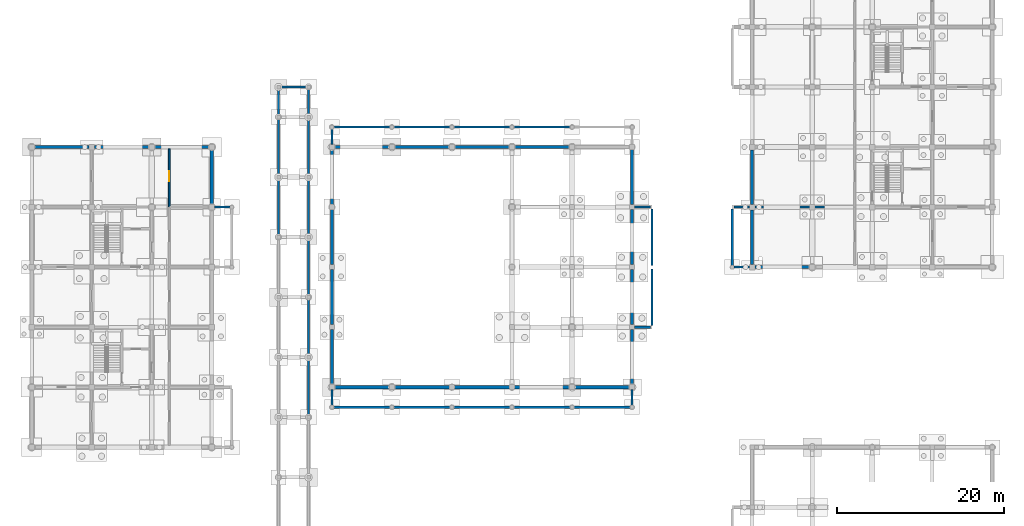
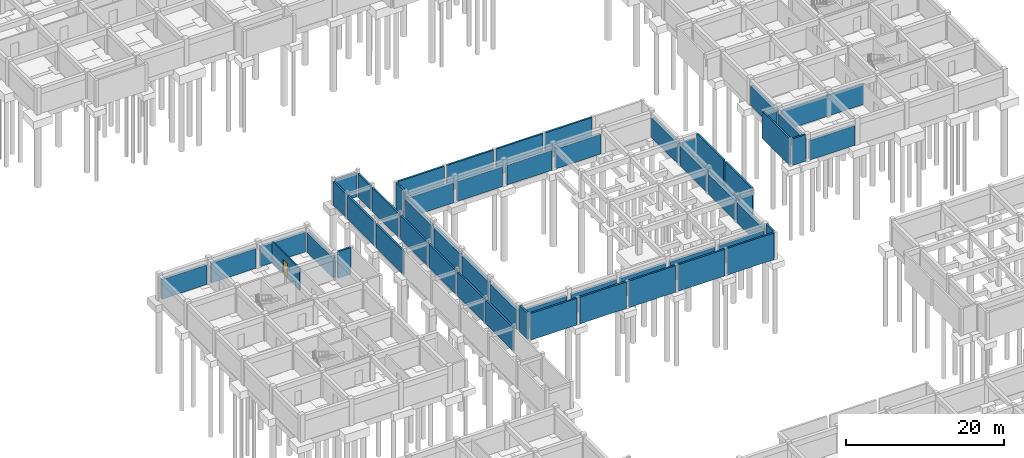
# One storey, part 28 of 38: 56 walls, 1 door, 1 opening.
"""IFC4 building model written with IfcOpenShell, lengths in metres."""

from ifc_helpers import new_model, si_unit, direction, frame, frame_2d, origin, place, context, subcontext, project, spatial, rectangle, extrude, material, layer, layer_set, type_object, element, fill, save


model = new_model("IFC4")

# Units and contexts
model_context = context("Model", 3, precision=1e-05, world=origin(), true_north=direction((0.0, 1.0)))
body_context = subcontext(model_context, "Body", "Model", "MODEL_VIEW")
ifc_project = project(units=[si_unit("LENGTHUNIT", "METRE"), si_unit("AREAUNIT", "SQUARE_METRE"), si_unit("VOLUMEUNIT", "CUBIC_METRE"), si_unit("PLANEANGLEUNIT", "RADIAN"), si_unit("MASSUNIT", "GRAM", prefix="KILO"), si_unit("THERMODYNAMICTEMPERATUREUNIT", "KELVIN"), si_unit("POWERUNIT", "WATT")], contexts=[model_context])

# Site, building, storey
site_placement = place(None, origin())
site = spatial("IfcSite", under=ifc_project, at=site_placement, CompositionType="ELEMENT")
building_placement = place(site_placement, origin())
building = spatial("IfcBuilding", under=site, at=building_placement, Name="Tavuni Mirador Residences", CompositionType="ELEMENT")
storey_placement = place(building_placement, frame((0.0, 0.0, -4.199951171875)))
storey = spatial("IfcBuildingStorey", under=building, at=storey_placement, Name="B1", CompositionType="ELEMENT", Elevation=-4.199951171875)

# Wall, opening, door
ifc_material_1 = material(Name="Precast concrete C40/50", Category="concrete")
ifc_layer_1 = layer(ifc_material_1, 0.18505859375, Name="Precast concrete C40/50", Category="concrete")
ifc_layer_set_1 = layer_set([ifc_layer_1], Name="Precast concrete C40/50")
wall_type_1 = type_object("IfcWallType", Name="WT-CORR185", PredefinedType="PARTITIONING", material=ifc_layer_set_1)
wall_1_placement = place(storey_placement, frame((20.10009765625, 93.6201171875, 0.0), z_axis=(0.0, 0.0, 1.0), x_axis=(0.0, 1.0, 0.0)))
wall_1 = element("IfcWall", 1, at=wall_1_placement, inside=storey, type_object=wall_type_1, Name="CORW-BLK-B-B1-0-04", PredefinedType="PARTITIONING", context=body_context, shape_type="SweptSolid", body=[
    extrude(rectangle(XDim=6.96484375, YDim=0.18505859375, at=frame_2d((3.482421875, 0.0))), origin(), (0.0, 0.0, 1.0), 3.31494140625),
])
opening_placement = place(wall_1_placement, frame((3.080078125, 0.0, 0.0)))
opening = element("IfcOpeningElement", 2, at=opening_placement, cuts=wall_1, Name="Opening D-18", PredefinedType="OPENING", context=body_context, shape_type="SweptSolid", body=[
    extrude(rectangle(XDim=1.199951171875, YDim=2.199951171875, at=frame_2d((0.60009765625, 1.10009765625))), frame((0.0, 0.1025390625, 0.0), z_axis=(0.0, -1.0, 0.0), x_axis=(1.0, 0.0, 0.0)), (0.0, 0.0, 1.0), 0.205078125),
])
ifc_material_2 = material(Name="Structural steel S355", Category="steel")
door_type = type_object("IfcDoorType", Name="DT-PLT1200", OperationType="NOTDEFINED", PredefinedType="DOOR", material=ifc_material_2)
door_placement = place(opening_placement, origin())
door = element("IfcDoor", 3, at=door_placement, inside=storey, type_object=door_type, Name="DR-2525", OperationType="SINGLE_SWING_RIGHT", OverallHeight=2.199951171875, OverallWidth=1.199951171875, PredefinedType="DOOR", context=body_context, shape_type="SweptSolid", body=[
    extrude(rectangle(XDim=1.199951171875, YDim=2.199951171875, at=frame_2d((0.60009765625, 1.10009765625))), frame((0.0, 0.02490234375, 0.0), z_axis=(0.0, -1.0, 0.0), x_axis=(1.0, 0.0, 0.0)), (0.0, 0.0, 1.0), 0.050048828125),
])
fill(opening, door)

# Walls
ifc_material_3 = material(Name="In-situ concrete C35/45", Category="concrete")
ifc_layer_2 = layer(ifc_material_3, 0.3798828125, Name="In-situ concrete C35/45", Category="concrete")
ifc_layer_set_2 = layer_set([ifc_layer_2], Name="In-situ concrete C35/45")
wall_type_2 = type_object("IfcWallType", Name="WT-RET380", PredefinedType="USERDEFINED", material=ifc_layer_set_2)
for number, where, z_axis, x_axis, name in (
    (4, (39.89990234375, 72.0, 0.0), (0.0, 0.0, 1.0), (1.0, 0.0, 0.0), "RET-PAV-HALL-S-00"),
    (5, (46.5, 100.800048828125, 0.0), (0.0, 0.0, 1.0), (-1.0, 0.0, 0.0), "RET-PAV-HALL-N-00"),
):
    element("IfcWall", number, at=place(storey_placement, frame(where, z_axis=z_axis, x_axis=x_axis)), inside=storey, type_object=wall_type_2, Name=name, ObjectType="RETAINING WALL", PredefinedType="USERDEFINED", context=body_context, shape_type="SweptSolid", body=[
        extrude(rectangle(XDim=6.60009765625, YDim=0.3798828125, at=frame_2d((3.300048828125, 0.0))), origin(), (0.0, 0.0, 1.0), 3.050048828125),
    ])
for number, where, z_axis, x_axis, name in (
    (6, (47.10009765625, 72.0, 0.0), (0.0, 0.0, 1.0), (1.0, 0.0, 0.0), "RET-PAV-HALL-S-01"),
    (7, (53.699951171875, 100.800048828125, 0.0), (0.0, 0.0, 1.0), (-1.0, 0.0, 0.0), "RET-PAV-HALL-N-01"),
    (8, (54.300048828125, 72.0, 0.0), (0.0, 0.0, 1.0), (1.0, 0.0, 0.0), "RET-PAV-HALL-S-02"),
    (9, (60.89990234375, 100.800048828125, 0.0), (0.0, 0.0, 1.0), (-1.0, 0.0, 0.0), "RET-PAV-HALL-N-02"),
):
    element("IfcWall", number, at=place(storey_placement, frame(where, z_axis=z_axis, x_axis=x_axis)), inside=storey, type_object=wall_type_2, Name=name, ObjectType="RETAINING WALL", PredefinedType="USERDEFINED", context=body_context, shape_type="SweptSolid", body=[
        extrude(rectangle(XDim=6.599853515625, YDim=0.3798828125, at=frame_2d((3.2998046875, 0.0))), origin(), (0.0, 0.0, 1.0), 3.050048828125),
    ])
for number, where, z_axis, x_axis, name in (
    (10, (61.5, 72.0, 0.0), (0.0, 0.0, 1.0), (1.0, 0.0, 0.0), "RET-PAV-HALL-S-03"),
    (11, (68.10009765625, 100.800048828125, 0.0), (0.0, 0.0, 1.0), (-1.0, 0.0, 0.0), "RET-PAV-HALL-N-03"),
    (12, (68.699951171875, 72.0, 0.0), (0.0, 0.0, 1.0), (1.0, 0.0, 0.0), "RET-PAV-HALL-S-04"),
):
    element("IfcWall", number, at=place(storey_placement, frame(where, z_axis=z_axis, x_axis=x_axis)), inside=storey, type_object=wall_type_2, Name=name, ObjectType="RETAINING WALL", PredefinedType="USERDEFINED", context=body_context, shape_type="SweptSolid", body=[
        extrude(rectangle(XDim=6.60009765625, YDim=0.3798828125, at=frame_2d((3.300048828125, 0.0))), origin(), (0.0, 0.0, 1.0), 3.050048828125),
    ])
for number, where, z_axis, x_axis, name in (
    (13, (75.60009765625, 72.300048828125, 0.0), (0.0, 0.0, 1.0), (0.0, 1.0, 0.0), "RET-PAV-HALL-E-00"),
    (14, (39.60009765625, 78.89990234375, 0.0), (0.0, 0.0, 1.0), (0.0, -1.0, 0.0), "RET-PAV-HALL-W-00"),
):
    element("IfcWall", number, at=place(storey_placement, frame(where, z_axis=z_axis, x_axis=x_axis)), inside=storey, type_object=wall_type_2, Name=name, ObjectType="RETAINING WALL", PredefinedType="USERDEFINED", context=body_context, shape_type="SweptSolid", body=[
        extrude(rectangle(XDim=6.599853515625, YDim=0.3798828125, at=frame_2d((3.2998046875, 0.0))), origin(), (0.0, 0.0, 1.0), 3.050048828125),
    ])
for number, where, z_axis, x_axis, name in (
    (15, (75.60009765625, 79.5, 0.0), (0.0, 0.0, 1.0), (0.0, 1.0, 0.0), "RET-PAV-HALL-E-01"),
    (16, (39.60009765625, 86.10009765625, 0.0), (0.0, 0.0, 1.0), (0.0, -1.0, 0.0), "RET-PAV-HALL-W-01"),
    (17, (75.60009765625, 86.699951171875, 0.0), (0.0, 0.0, 1.0), (0.0, 1.0, 0.0), "RET-PAV-HALL-E-02"),
    (18, (39.60009765625, 93.300048828125, 0.0), (0.0, 0.0, 1.0), (0.0, -1.0, 0.0), "RET-PAV-HALL-W-02"),
    (19, (75.60009765625, 93.89990234375, 0.0), (0.0, 0.0, 1.0), (0.0, 1.0, 0.0), "RET-PAV-HALL-E-03"),
    (20, (39.60009765625, 100.5, 0.0), (0.0, 0.0, 1.0), (0.0, -1.0, 0.0), "RET-PAV-HALL-W-03"),
):
    element("IfcWall", number, at=place(storey_placement, frame(where, z_axis=z_axis, x_axis=x_axis)), inside=storey, type_object=wall_type_2, Name=name, ObjectType="RETAINING WALL", PredefinedType="USERDEFINED", context=body_context, shape_type="SweptSolid", body=[
        extrude(rectangle(XDim=6.60009765625, YDim=0.3798828125, at=frame_2d((3.300048828125, 0.0))), origin(), (0.0, 0.0, 1.0), 3.050048828125),
    ])
for number, where, z_axis, x_axis, name in (
    (21, (10.47509765625, 100.800048828125, 0.0), (0.0, 0.0, 1.0), (-1.0, 0.0, 0.0), "RET-BLK-B-N-00"),
    (22, (17.675048828125, 100.800048828125, 0.0), (0.0, 0.0, 1.0), (-1.0, 0.0, 0.0), "RET-BLK-B-N-01"),
    (23, (24.875, 100.800048828125, 0.0), (0.0, 0.0, 1.0), (-1.0, 0.0, 0.0), "RET-BLK-B-N-02"),
    (24, (25.199951171875, 93.925048828125, 0.0), (0.0, 0.0, 1.0), (0.0, 1.0, 0.0), "RET-BLK-B-E-04"),
    (25, (90.324951171875, 86.39990234375, 0.0), (0.0, 0.0, 1.0), (1.0, 0.0, 0.0), "RET-BLK-D-S-00"),
):
    element("IfcWall", number, at=place(storey_placement, frame(where, z_axis=z_axis, x_axis=x_axis)), inside=storey, type_object=wall_type_2, Name=name, ObjectType="RETAINING WALL", PredefinedType="USERDEFINED", context=body_context, shape_type="SweptSolid", body=[
        extrude(rectangle(XDim=6.550048828125, YDim=0.3798828125, at=frame_2d((3.27490234375, 0.0))), origin(), (0.0, 0.0, 1.0), 3.030029296875),
    ])
wall_2_placement = place(storey_placement, frame((90.0, 93.27490234375, 0.0), z_axis=(0.0, 0.0, 1.0), x_axis=(0.0, -1.0, 0.0)))
element("IfcWall", 26, at=wall_2_placement, inside=storey, type_object=wall_type_2, Name="RET-BLK-D-W-00", ObjectType="RETAINING WALL", PredefinedType="USERDEFINED", context=body_context, shape_type="SweptSolid", body=[
    extrude(rectangle(XDim=6.5498046875, YDim=0.3798828125, at=frame_2d((3.27490234375, 0.0))), origin(), (0.0, 0.0, 1.0), 3.030029296875),
])
wall_3_placement = place(storey_placement, frame((90.0, 100.47509765625, 0.0), z_axis=(0.0, 0.0, 1.0), x_axis=(0.0, -1.0, 0.0)))
element("IfcWall", 27, at=wall_3_placement, inside=storey, type_object=wall_type_2, Name="RET-BLK-D-W-01", ObjectType="RETAINING WALL", PredefinedType="USERDEFINED", context=body_context, shape_type="SweptSolid", body=[
    extrude(rectangle(XDim=6.550048828125, YDim=0.3798828125, at=frame_2d((3.27490234375, 0.0))), origin(), (0.0, 0.0, 1.0), 3.030029296875),
])
ifc_layer_3 = layer(ifc_material_1, 0.264892578125, Name="Precast concrete C40/50", Category="concrete")
ifc_layer_set_3 = layer_set([ifc_layer_3], Name="Precast concrete C40/50")
wall_type_3 = type_object("IfcWallType", Name="WT-XW265", PredefinedType="SOLIDWALL", material=ifc_layer_set_3)
wall_4_placement = place(storey_placement, frame((36.590087890625, 108.0, 0.0), z_axis=(0.0, 0.0, 1.0), x_axis=(-1.0, 0.0, 0.0)))
element("IfcWall", 28, at=wall_4_placement, inside=storey, type_object=wall_type_3, Name="RET-PAV-COL-N-00", PredefinedType="SOLIDWALL", context=body_context, shape_type="SweptSolid", body=[
    extrude(rectangle(XDim=3.18017578125, YDim=0.264892578125, at=frame_2d((1.590087890625, 0.0))), origin(), (0.0, 0.0, 1.0), 3.64990234375),
])
wall_5_placement = place(storey_placement, frame((36.800048828125, 68.610107421875, 0.0), z_axis=(0.0, 0.0, 1.0), x_axis=(0.0, 1.0, 0.0)))
element("IfcWall", 29, at=wall_5_placement, inside=storey, type_object=wall_type_3, Name="RET-PAV-COL-E-02", PredefinedType="SOLIDWALL", context=body_context, shape_type="SweptSolid", body=[
    extrude(rectangle(XDim=6.77978515625, YDim=0.264892578125, at=frame_2d((3.389892578125, 0.0))), origin(), (0.0, 0.0, 1.0), 3.64990234375),
])
for number, where, z_axis, x_axis, name in (
    (30, (36.800048828125, 75.81005859375, 0.0), (0.0, 0.0, 1.0), (0.0, 1.0, 0.0), "RET-PAV-COL-E-03"),
    (31, (36.800048828125, 83.010009765625, 0.0), (0.0, 0.0, 1.0), (0.0, 1.0, 0.0), "RET-PAV-COL-E-04"),
    (32, (36.800048828125, 90.2099609375, 0.0), (0.0, 0.0, 1.0), (0.0, 1.0, 0.0), "RET-PAV-COL-E-05"),
    (33, (33.199951171875, 96.989990234375, 0.0), (0.0, 0.0, 1.0), (0.0, -1.0, 0.0), "RET-PAV-COL-W-05"),
    (34, (36.800048828125, 97.409912109375, 0.0), (0.0, 0.0, 1.0), (0.0, 1.0, 0.0), "RET-PAV-COL-E-06"),
    (35, (33.199951171875, 104.18994140625, 0.0), (0.0, 0.0, 1.0), (0.0, -1.0, 0.0), "RET-PAV-COL-W-06"),
):
    element("IfcWall", number, at=place(storey_placement, frame(where, z_axis=z_axis, x_axis=x_axis)), inside=storey, type_object=wall_type_3, Name=name, PredefinedType="SOLIDWALL", context=body_context, shape_type="SweptSolid", body=[
        extrude(rectangle(XDim=6.780029296875, YDim=0.264892578125, at=frame_2d((3.39013671875, 0.0))), origin(), (0.0, 0.0, 1.0), 3.64990234375),
    ])
for number, where, z_axis, x_axis, name in (
    (36, (36.800048828125, 104.610107421875, 0.0), (0.0, 0.0, 1.0), (0.0, 1.0, 0.0), "RET-PAV-COL-E-07"),
    (37, (33.199951171875, 107.7900390625, 0.0), (0.0, 0.0, 1.0), (0.0, -1.0, 0.0), "RET-PAV-COL-W-07"),
):
    element("IfcWall", number, at=place(storey_placement, frame(where, z_axis=z_axis, x_axis=x_axis)), inside=storey, type_object=wall_type_3, Name=name, PredefinedType="SOLIDWALL", context=body_context, shape_type="SweptSolid", body=[
        extrude(rectangle(XDim=3.179931640625, YDim=0.264892578125, at=frame_2d((1.58984375, 0.0))), origin(), (0.0, 0.0, 1.0), 3.64990234375),
    ])
for number, where, z_axis, x_axis, name in (
    (38, (27.389892578125, 93.60009765625, 0.0), (0.0, 0.0, 1.0), (-1.0, 0.0, 0.0), "RET-APR-BLKB-E2-N0"),
    (39, (87.81005859375, 86.39990234375, 0.0), (0.0, 0.0, 1.0), (1.0, 0.0, 0.0), "RET-APR-BLKD-W1-S0"),
):
    element("IfcWall", number, at=place(storey_placement, frame(where, z_axis=z_axis, x_axis=x_axis)), inside=storey, type_object=wall_type_3, Name=name, PredefinedType="SOLIDWALL", context=body_context, shape_type="SweptSolid", body=[
        extrude(rectangle(XDim=1.864990234375, YDim=0.264892578125, at=frame_2d((0.9326171875, 0.0))), origin(), (0.0, 0.0, 1.0), 4.119873046875),
    ])
wall_6_placement = place(storey_placement, frame((89.675048828125, 93.60009765625, 0.0), z_axis=(0.0, 0.0, 1.0), x_axis=(-1.0, 0.0, 0.0)))
element("IfcWall", 40, at=wall_6_placement, inside=storey, type_object=wall_type_3, Name="RET-APR-BLKD-W1-N0", PredefinedType="SOLIDWALL", context=body_context, shape_type="SweptSolid", body=[
    extrude(rectangle(XDim=1.864990234375, YDim=0.264892578125, at=frame_2d((0.9326171875, 0.0))), origin(), (0.0, 0.0, 1.0), 3.349853515625),
])
wall_7_placement = place(storey_placement, frame((87.60009765625, 93.389892578125, 0.0), z_axis=(0.0, 0.0, 1.0), x_axis=(0.0, -1.0, 0.0)))
element("IfcWall", 41, at=wall_7_placement, inside=storey, type_object=wall_type_3, Name="RET-APR-BLKD-W1-W0", PredefinedType="SOLIDWALL", context=body_context, shape_type="SweptSolid", body=[
    extrude(rectangle(XDim=6.77978515625, YDim=0.264892578125, at=frame_2d((3.389892578125, 0.0))), origin(), (0.0, 0.0, 1.0), 4.119873046875),
])
wall_8_placement = place(storey_placement, frame((75.89990234375, 79.199951171875, 0.0), z_axis=(0.0, 0.0, 1.0), x_axis=(1.0, 0.0, 0.0)))
element("IfcWall", 42, at=wall_8_placement, inside=storey, type_object=wall_type_3, Name="RET-APR-HALL-E-S0", PredefinedType="SOLIDWALL", context=body_context, shape_type="SweptSolid", body=[
    extrude(rectangle(XDim=1.89013671875, YDim=0.264892578125, at=frame_2d((0.945068359375, 0.0))), origin(), (0.0, 0.0, 1.0), 3.349853515625),
])
wall_9_placement = place(storey_placement, frame((78.0, 79.409912109375, 0.0), z_axis=(0.0, 0.0, 1.0), x_axis=(0.0, 1.0, 0.0)))
element("IfcWall", 43, at=wall_9_placement, inside=storey, type_object=wall_type_3, Name="RET-APR-HALL-E-E0", PredefinedType="SOLIDWALL", context=body_context, shape_type="SweptSolid", body=[
    extrude(rectangle(XDim=6.780029296875, YDim=0.264892578125, at=frame_2d((3.39013671875, 0.0))), origin(), (0.0, 0.0, 1.0), 4.119873046875),
])
wall_10_placement = place(storey_placement, frame((78.0, 86.610107421875, 0.0), z_axis=(0.0, 0.0, 1.0), x_axis=(0.0, 1.0, 0.0)))
element("IfcWall", 44, at=wall_10_placement, inside=storey, type_object=wall_type_3, Name="RET-APR-HALL-E-E1", PredefinedType="SOLIDWALL", context=body_context, shape_type="SweptSolid", body=[
    extrude(rectangle(XDim=6.77978515625, YDim=0.264892578125, at=frame_2d((3.389892578125, 0.0))), origin(), (0.0, 0.0, 1.0), 4.119873046875),
])
wall_11_placement = place(storey_placement, frame((77.7900390625, 93.60009765625, 0.0), z_axis=(0.0, 0.0, 1.0), x_axis=(-1.0, 0.0, 0.0)))
element("IfcWall", 45, at=wall_11_placement, inside=storey, type_object=wall_type_3, Name="RET-APR-HALL-E-N0", PredefinedType="SOLIDWALL", context=body_context, shape_type="SweptSolid", body=[
    extrude(rectangle(XDim=1.89013671875, YDim=0.264892578125, at=frame_2d((0.945068359375, 0.0))), origin(), (0.0, 0.0, 1.0), 3.349853515625),
])
wall_12_placement = place(storey_placement, frame((90.324951171875, 93.60009765625, 0.0), z_axis=(0.0, 0.0, 1.0), x_axis=(1.0, 0.0, 0.0)))
element("IfcWall", 46, at=wall_12_placement, inside=storey, type_object=wall_type_3, Name="XW-BLK-D-B1-W-01", PredefinedType="SOLIDWALL", context=body_context, shape_type="SweptSolid", body=[
    extrude(rectangle(XDim=11.97509765625, YDim=0.264892578125, at=frame_2d((5.987548828125, 0.0))), origin(), (0.0, 0.0, 1.0), 3.179931640625),
])
for number, where, z_axis, x_axis, name in (
    (47, (39.81005859375, 69.60009765625, 0.0), (0.0, 0.0, 1.0), (1.0, 0.0, 0.0), "RET-HALL-EAVE-S-00"),
    (48, (47.010009765625, 69.60009765625, 0.0), (0.0, 0.0, 1.0), (1.0, 0.0, 0.0), "RET-HALL-EAVE-S-01"),
    (49, (54.2099609375, 69.60009765625, 0.0), (0.0, 0.0, 1.0), (1.0, 0.0, 0.0), "RET-HALL-EAVE-S-02"),
    (50, (61.409912109375, 69.60009765625, 0.0), (0.0, 0.0, 1.0), (1.0, 0.0, 0.0), "RET-HALL-EAVE-S-03"),
):
    element("IfcWall", number, at=place(storey_placement, frame(where, z_axis=z_axis, x_axis=x_axis)), inside=storey, type_object=wall_type_3, Name=name, PredefinedType="SOLIDWALL", context=body_context, shape_type="SweptSolid", body=[
        extrude(rectangle(XDim=6.780029296875, YDim=0.264892578125, at=frame_2d((3.39013671875, 0.0))), origin(), (0.0, 0.0, 1.0), 4.119873046875),
    ])
wall_13_placement = place(storey_placement, frame((68.610107421875, 69.60009765625, 0.0), z_axis=(0.0, 0.0, 1.0), x_axis=(1.0, 0.0, 0.0)))
element("IfcWall", 51, at=wall_13_placement, inside=storey, type_object=wall_type_3, Name="RET-HALL-EAVE-S-04", PredefinedType="SOLIDWALL", context=body_context, shape_type="SweptSolid", body=[
    extrude(rectangle(XDim=6.77978515625, YDim=0.264892578125, at=frame_2d((3.389892578125, 0.0))), origin(), (0.0, 0.0, 1.0), 4.119873046875),
])
for number, where, z_axis, x_axis, name in (
    (52, (39.60009765625, 69.81005859375, 0.0), (0.0, 0.0, 1.0), (0.0, 1.0, 0.0), "RET-HALL-ECHK-S-W"),
    (53, (75.60009765625, 69.81005859375, 0.0), (0.0, 0.0, 1.0), (0.0, 1.0, 0.0), "RET-HALL-ECHK-S-E"),
):
    element("IfcWall", number, at=place(storey_placement, frame(where, z_axis=z_axis, x_axis=x_axis)), inside=storey, type_object=wall_type_3, Name=name, PredefinedType="SOLIDWALL", context=body_context, shape_type="SweptSolid", body=[
        extrude(rectangle(XDim=1.889892578125, YDim=0.264892578125, at=frame_2d((0.94482421875, 0.0))), origin(), (0.0, 0.0, 1.0), 4.119873046875),
    ])
for number, where, z_axis, x_axis, name in (
    (54, (39.81005859375, 103.199951171875, 0.0), (0.0, 0.0, 1.0), (1.0, 0.0, 0.0), "RET-HALL-EAVE-N-00"),
    (55, (47.010009765625, 103.199951171875, 0.0), (0.0, 0.0, 1.0), (1.0, 0.0, 0.0), "RET-HALL-EAVE-N-01"),
    (56, (54.2099609375, 103.199951171875, 0.0), (0.0, 0.0, 1.0), (1.0, 0.0, 0.0), "RET-HALL-EAVE-N-02"),
    (57, (61.409912109375, 103.199951171875, 0.0), (0.0, 0.0, 1.0), (1.0, 0.0, 0.0), "RET-HALL-EAVE-N-03"),
):
    element("IfcWall", number, at=place(storey_placement, frame(where, z_axis=z_axis, x_axis=x_axis)), inside=storey, type_object=wall_type_3, Name=name, PredefinedType="SOLIDWALL", context=body_context, shape_type="SweptSolid", body=[
        extrude(rectangle(XDim=6.780029296875, YDim=0.264892578125, at=frame_2d((3.39013671875, 0.0))), origin(), (0.0, 0.0, 1.0), 4.119873046875),
    ])
wall_14_placement = place(storey_placement, frame((39.60009765625, 101.10009765625, 0.0), z_axis=(0.0, 0.0, 1.0), x_axis=(0.0, 1.0, 0.0)))
element("IfcWall", 58, at=wall_14_placement, inside=storey, type_object=wall_type_3, Name="RET-HALL-ECHK-N-W", PredefinedType="SOLIDWALL", context=body_context, shape_type="SweptSolid", body=[
    extrude(rectangle(XDim=1.889892578125, YDim=0.264892578125, at=frame_2d((0.94482421875, 0.0))), origin(), (0.0, 0.0, 1.0), 4.119873046875),
])

save(model, "model.ifc")
